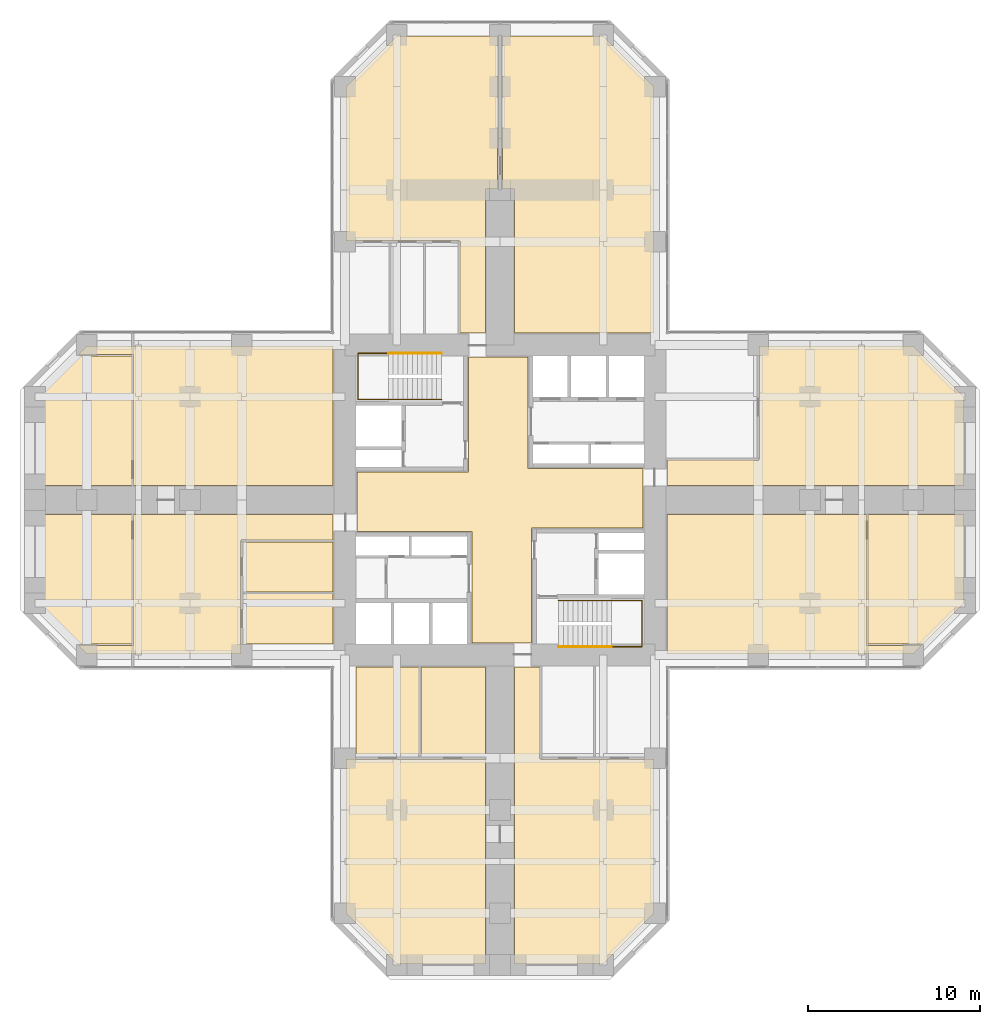
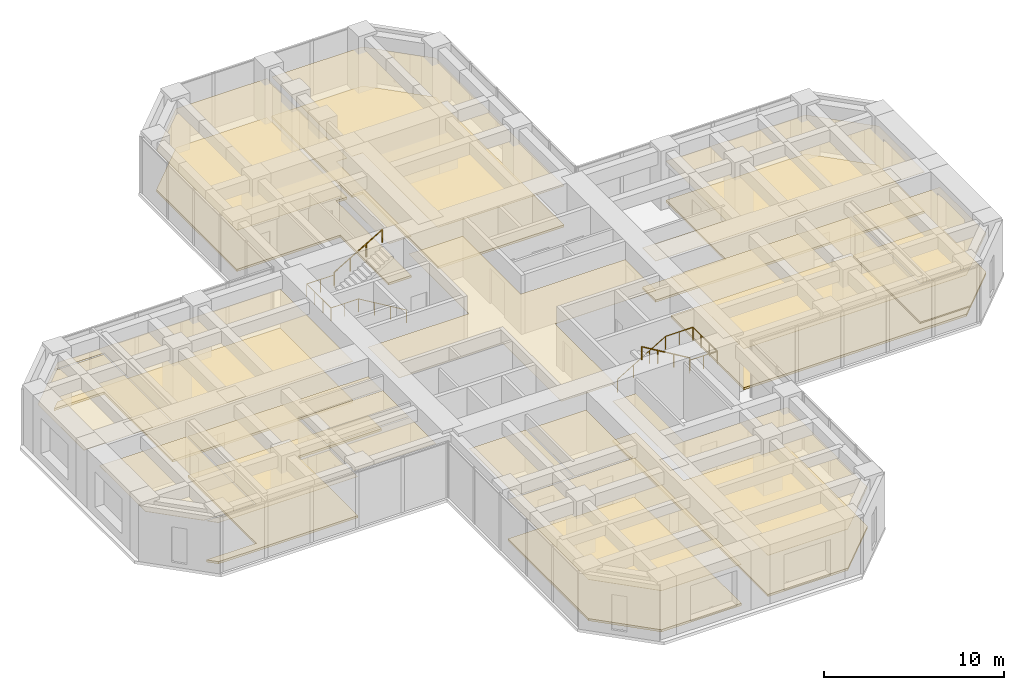
# One storey, part 12 of 12: 25 coverings, 4 railings.
"""IFC4 building model written with IfcOpenShell, lengths in metres."""

from ifc_helpers import new_model, si_unit, direction, frame, origin, origin_2d, place, context, subcontext, project, spatial, polyline, circle, outline, extrude, material, layer, layer_set, constituent, constituent_set, type_object, element, save


model = new_model("IFC4")

# Units and contexts
model_context = context("Model", 3, precision=1e-05, world=origin(), true_north=direction((0.0, 1.0)))
body_context = subcontext(model_context, "Body", "Model", "MODEL_VIEW")
ifc_project = project(units=[si_unit("LENGTHUNIT", "METRE"), si_unit("AREAUNIT", "SQUARE_METRE"), si_unit("VOLUMEUNIT", "CUBIC_METRE"), si_unit("PLANEANGLEUNIT", "RADIAN"), si_unit("MASSUNIT", "GRAM", prefix="KILO")], contexts=[model_context])

# Site, building, storey
site_placement = place(None, origin())
site = spatial("IfcSite", under=ifc_project, at=site_placement, CompositionType="ELEMENT")
building_placement = place(site_placement, origin())
building = spatial("IfcBuilding", under=site, at=building_placement, Name="Torre Cruceta", CompositionType="ELEMENT")
storey_placement = place(building_placement, frame((0.0, 0.0, 35.5)))
storey = spatial("IfcBuildingStorey", under=building, at=storey_placement, Name="L08", CompositionType="ELEMENT", Elevation=35.5)

# Railings
ifc_material_1 = material(Name="Stainless steel 1.4401", Category="steel")
railing_type = type_object("IfcRailingType", Name="HANDRAIL 900", PredefinedType="HANDRAIL", material=ifc_material_1)
railing_1_placement = place(storey_placement, frame((-3.39990234375, 5.8349609375, 0.166748046875)))
element("IfcRailing", 1, at=railing_1_placement, inside=storey, type_object=railing_type, Name="Handrail HR1 ST1 L08", PredefinedType="HANDRAIL", context=body_context, shape_type="SweptSolid", body=[
    extrude(circle(Radius=0.02392578125, at=origin_2d()), frame((0.0, 0.0, 0.8759765625), z_axis=(-0.859308565015, 0.0, 0.511457515432), x_axis=(0.0, -1.0, 0.0)), (0.0, 0.0, 1.0), 3.58447265625),
    extrude(circle(Radius=0.02392578125, at=origin_2d()), frame((-3.080078125, 0.0, 2.708984375), z_axis=(-1.0, 0.0, 0.0), x_axis=(0.0, -1.0, 0.0)), (0.0, 0.0, 1.0), 1.760009765625),
    extrude(circle(Radius=0.02392578125, at=origin_2d()), frame((-4.840087890625, 0.0, 2.708984375), z_axis=(0.0, 1.0, 0.0), x_axis=(-1.0, 0.0, 0.0)), (0.0, 0.0, 1.0), 2.679931640625),
    extrude(circle(Radius=0.02392578125, at=origin_2d()), frame((-4.840087890625, 2.679931640625, 2.708984375), z_axis=(1.0, 0.0, 0.0), x_axis=(0.0, 1.0, 0.0)), (0.0, 0.0, 1.0), 1.760009765625),
    extrude(circle(Radius=0.02099609375, at=origin_2d()), origin(), (0.0, 0.0, 1.0), 0.851806640625),
    extrude(circle(Radius=0.02099609375, at=origin_2d()), frame((-1.026611328125, 0.0, 0.611083984375)), (0.0, 0.0, 1.0), 0.851806640625),
    extrude(circle(Radius=0.02099609375, at=origin_2d()), frame((-2.053466796875, 0.0, 1.22216796875)), (0.0, 0.0, 1.0), 0.851806640625),
    extrude(circle(Radius=0.02099609375, at=origin_2d()), frame((-3.080078125, 0.0, 1.833251953125)), (0.0, 0.0, 1.0), 0.851806640625),
    extrude(circle(Radius=0.02099609375, at=origin_2d()), frame((-3.9599609375, 0.0, 1.833251953125)), (0.0, 0.0, 1.0), 0.851806640625),
    extrude(circle(Radius=0.02099609375, at=origin_2d()), frame((-4.840087890625, 0.0, 1.833251953125)), (0.0, 0.0, 1.0), 0.851806640625),
    extrude(circle(Radius=0.02099609375, at=origin_2d()), frame((-4.840087890625, 0.893310546875, 1.833251953125)), (0.0, 0.0, 1.0), 0.851806640625),
    extrude(circle(Radius=0.02099609375, at=origin_2d()), frame((-4.840087890625, 1.78662109375, 1.833251953125)), (0.0, 0.0, 1.0), 0.851806640625),
    extrude(circle(Radius=0.02099609375, at=origin_2d()), frame((-4.840087890625, 2.679931640625, 1.833251953125)), (0.0, 0.0, 1.0), 0.851806640625),
    extrude(circle(Radius=0.02099609375, at=origin_2d()), frame((-3.9599609375, 2.679931640625, 1.833251953125)), (0.0, 0.0, 1.0), 0.851806640625),
    extrude(circle(Radius=0.02099609375, at=origin_2d()), frame((-3.080078125, 2.679931640625, 1.833251953125)), (0.0, 0.0, 1.0), 0.851806640625),
])
railing_2_placement = place(storey_placement, frame((-6.47998046875, 8.514892578125, 2.166748046875)))
element("IfcRailing", 2, at=railing_2_placement, inside=storey, type_object=railing_type, Name="Handrail HR1 ST1 L08", PredefinedType="HANDRAIL", context=body_context, shape_type="SweptSolid", body=[
    extrude(circle(Radius=0.02392578125, at=origin_2d()), frame((0.0, 0.0, 0.8759765625), z_axis=(0.859308565015, 0.0, 0.511457515432), x_axis=(0.0, 1.0, 0.0)), (0.0, 0.0, 1.0), 3.58447265625),
    extrude(circle(Radius=0.02099609375, at=origin_2d()), origin(), (0.0, 0.0, 1.0), 0.851806640625),
    extrude(circle(Radius=0.02099609375, at=origin_2d()), frame((1.026611328125, 0.0, 0.611083984375)), (0.0, 0.0, 1.0), 0.851806640625),
    extrude(circle(Radius=0.02099609375, at=origin_2d()), frame((2.053466796875, 0.0, 1.22216796875)), (0.0, 0.0, 1.0), 0.851806640625),
    extrude(circle(Radius=0.02099609375, at=origin_2d()), frame((3.080078125, 0.0, 1.833251953125)), (0.0, 0.0, 1.0), 0.851806640625),
])
railing_3_placement = place(storey_placement, frame((3.39990234375, -5.8349609375, 0.166748046875)))
element("IfcRailing", 3, at=railing_3_placement, inside=storey, type_object=railing_type, Name="Handrail HR1 ST2 L08", PredefinedType="HANDRAIL", context=body_context, shape_type="SweptSolid", body=[
    extrude(circle(Radius=0.02392578125, at=origin_2d()), frame((0.0, 0.0, 0.8759765625), z_axis=(0.859308565015, 0.0, 0.511457515432), x_axis=(0.0, 1.0, 0.0)), (0.0, 0.0, 1.0), 3.58447265625),
    extrude(circle(Radius=0.02392578125, at=origin_2d()), frame((3.080078125, 0.0, 2.708984375), z_axis=(1.0, 0.0, 0.0), x_axis=(0.0, 1.0, 0.0)), (0.0, 0.0, 1.0), 1.760009765625),
    extrude(circle(Radius=0.02392578125, at=origin_2d()), frame((4.840087890625, 0.0, 2.708984375), z_axis=(0.0, -1.0, 0.0), x_axis=(1.0, 0.0, 0.0)), (0.0, 0.0, 1.0), 2.679931640625),
    extrude(circle(Radius=0.02392578125, at=origin_2d()), frame((4.840087890625, -2.679931640625, 2.708984375), z_axis=(-1.0, 0.0, 0.0), x_axis=(0.0, -1.0, 0.0)), (0.0, 0.0, 1.0), 1.760009765625),
    extrude(circle(Radius=0.02099609375, at=origin_2d()), origin(), (0.0, 0.0, 1.0), 0.851806640625),
    extrude(circle(Radius=0.02099609375, at=origin_2d()), frame((1.026611328125, 0.0, 0.611083984375)), (0.0, 0.0, 1.0), 0.851806640625),
    extrude(circle(Radius=0.02099609375, at=origin_2d()), frame((2.053466796875, 0.0, 1.22216796875)), (0.0, 0.0, 1.0), 0.851806640625),
    extrude(circle(Radius=0.02099609375, at=origin_2d()), frame((3.080078125, 0.0, 1.833251953125)), (0.0, 0.0, 1.0), 0.851806640625),
    extrude(circle(Radius=0.02099609375, at=origin_2d()), frame((3.9599609375, 0.0, 1.833251953125)), (0.0, 0.0, 1.0), 0.851806640625),
    extrude(circle(Radius=0.02099609375, at=origin_2d()), frame((4.840087890625, 0.0, 1.833251953125)), (0.0, 0.0, 1.0), 0.851806640625),
    extrude(circle(Radius=0.02099609375, at=origin_2d()), frame((4.840087890625, -0.893310546875, 1.833251953125)), (0.0, 0.0, 1.0), 0.851806640625),
    extrude(circle(Radius=0.02099609375, at=origin_2d()), frame((4.840087890625, -1.78662109375, 1.833251953125)), (0.0, 0.0, 1.0), 0.851806640625),
    extrude(circle(Radius=0.02099609375, at=origin_2d()), frame((4.840087890625, -2.679931640625, 1.833251953125)), (0.0, 0.0, 1.0), 0.851806640625),
    extrude(circle(Radius=0.02099609375, at=origin_2d()), frame((3.9599609375, -2.679931640625, 1.833251953125)), (0.0, 0.0, 1.0), 0.851806640625),
    extrude(circle(Radius=0.02099609375, at=origin_2d()), frame((3.080078125, -2.679931640625, 1.833251953125)), (0.0, 0.0, 1.0), 0.851806640625),
])
railing_4_placement = place(storey_placement, frame((6.47998046875, -8.514892578125, 2.166748046875)))
element("IfcRailing", 4, at=railing_4_placement, inside=storey, type_object=railing_type, Name="Handrail HR1 ST2 L08", PredefinedType="HANDRAIL", context=body_context, shape_type="SweptSolid", body=[
    extrude(circle(Radius=0.02392578125, at=origin_2d()), frame((0.0, 0.0, 0.8759765625), z_axis=(-0.859308565015, 0.0, 0.511457515432), x_axis=(0.0, -1.0, 0.0)), (0.0, 0.0, 1.0), 3.58447265625),
    extrude(circle(Radius=0.02099609375, at=origin_2d()), origin(), (0.0, 0.0, 1.0), 0.851806640625),
    extrude(circle(Radius=0.02099609375, at=origin_2d()), frame((-1.026611328125, 0.0, 0.611083984375)), (0.0, 0.0, 1.0), 0.851806640625),
    extrude(circle(Radius=0.02099609375, at=origin_2d()), frame((-2.053466796875, 0.0, 1.22216796875)), (0.0, 0.0, 1.0), 0.851806640625),
    extrude(circle(Radius=0.02099609375, at=origin_2d()), frame((-3.080078125, 0.0, 1.833251953125)), (0.0, 0.0, 1.0), 0.851806640625),
])

# Coverings
ifc_material_2 = material(Name="Steel DX51D", Category="steel")
ifc_constituent_1 = constituent(ifc_material_2, Name="Panel casing")
ifc_material_3 = material(Name="Calcium sulphate", Category="gypsum")
ifc_constituent_2 = constituent(ifc_material_3, Name="Panel core")
ifc_constituent_set = constituent_set(constituents=[ifc_constituent_1, ifc_constituent_2], Name="Raised access floor panel")
covering_type_1 = type_object("IfcCoveringType", Name="RAISED ACCESS FLOOR 150", PredefinedType="FLOORING", material=ifc_constituent_set)
covering_1_placement = place(storey_placement, origin())
element("IfcCovering", 5, at=covering_1_placement, inside=storey, type_object=covering_type_1, Name="Raised floor L08-026", PredefinedType="FLOORING", context=body_context, shape_type="SweptSolid", body=[
    extrude(outline(polyline([(-5.979248046875, 26.949951171875), (-0.14990234375, 26.949951171875), (-0.14990234375, 18.050048828125), (-0.85009765625, 18.050048828125), (-0.85009765625, 9.699951171875), (-2.324951171875, 9.699951171875), (-2.324951171875, 15.050048828125), (-8.949951171875, 15.050048828125), (-8.949951171875, 23.979248046875), (-5.979248046875, 26.949951171875)])), origin(), (0.0, 0.0, 1.0), 0.14990234375),
])
covering_2_placement = place(storey_placement, origin())
element("IfcCovering", 6, at=covering_2_placement, inside=storey, type_object=covering_type_1, Name="Raised floor L08-027", PredefinedType="FLOORING", context=body_context, shape_type="SweptSolid", body=[
    extrude(outline(polyline([(5.979248046875, 26.949951171875), (8.949951171875, 23.979248046875), (8.949951171875, 9.699951171875), (0.85009765625, 9.699951171875), (0.85009765625, 18.050048828125), (0.14990234375, 18.050048828125), (0.14990234375, 26.949951171875), (5.979248046875, 26.949951171875)])), origin(), (0.0, 0.0, 1.0), 0.14990234375),
])
covering_3_placement = place(storey_placement, origin())
element("IfcCovering", 7, at=covering_3_placement, inside=storey, type_object=covering_type_1, Name="Raised floor L08-029", PredefinedType="FLOORING", context=body_context, shape_type="SweptSolid", body=[
    extrude(outline(polyline([(24.579345703125, -8.35009765625), (21.3701171875, -8.35009765625), (21.3701171875, -0.85009765625), (26.949951171875, -0.85009765625), (26.949951171875, -5.979248046875), (24.579345703125, -8.35009765625)])), origin(), (0.0, 0.0, 1.0), 0.14990234375),
])
covering_4_placement = place(storey_placement, origin())
element("IfcCovering", 8, at=covering_4_placement, inside=storey, type_object=covering_type_1, Name="Raised floor L08-030", PredefinedType="FLOORING", context=body_context, shape_type="SweptSolid", body=[
    extrude(outline(polyline([(26.949951171875, 0.85009765625), (9.699951171875, 0.85009765625), (9.699951171875, 2.324951171875), (15.050048828125, 2.324951171875), (15.050048828125, 8.949951171875), (23.979248046875, 8.949951171875), (26.949951171875, 5.979248046875), (26.949951171875, 0.85009765625)])), origin(), (0.0, 0.0, 1.0), 0.14990234375),
])
covering_5_placement = place(storey_placement, origin())
element("IfcCovering", 9, at=covering_5_placement, inside=storey, type_object=covering_type_1, Name="Raised floor L08-031", PredefinedType="FLOORING", context=body_context, shape_type="SweptSolid", body=[
    extrude(outline(polyline([(21.27001953125, -8.449951171875), (24.479248046875, -8.449951171875), (23.979248046875, -8.949951171875), (9.699951171875, -8.949951171875), (9.699951171875, -0.85009765625), (21.27001953125, -0.85009765625), (21.27001953125, -8.449951171875)])), origin(), (0.0, 0.0, 1.0), 0.14990234375),
])
covering_6_placement = place(storey_placement, origin())
element("IfcCovering", 10, at=covering_6_placement, inside=storey, type_object=covering_type_1, Name="Raised floor L08-036", PredefinedType="FLOORING", context=body_context, shape_type="SweptSolid", body=[
    extrude(outline(polyline([(0.85009765625, -26.949951171875), (0.85009765625, -9.699951171875), (2.324951171875, -9.699951171875), (2.324951171875, -15.050048828125), (8.949951171875, -15.050048828125), (8.949951171875, -23.979248046875), (5.979248046875, -26.949951171875), (0.85009765625, -26.949951171875)])), origin(), (0.0, 0.0, 1.0), 0.14990234375),
])
covering_7_placement = place(storey_placement, origin())
element("IfcCovering", 11, at=covering_7_placement, inside=storey, type_object=covering_type_1, Name="Raised floor L08-037", PredefinedType="FLOORING", context=body_context, shape_type="SweptSolid", body=[
    extrude(outline(polyline([(-5.979248046875, -26.949951171875), (-8.949951171875, -23.979248046875), (-8.949951171875, -15.050048828125), (-0.85009765625, -15.050048828125), (-0.85009765625, -26.949951171875), (-5.979248046875, -26.949951171875)])), origin(), (0.0, 0.0, 1.0), 0.14990234375),
])
covering_8_placement = place(storey_placement, origin())
element("IfcCovering", 12, at=covering_8_placement, inside=storey, type_object=covering_type_1, Name="Raised floor L08-042", PredefinedType="FLOORING", context=body_context, shape_type="SweptSolid", body=[
    extrude(outline(polyline([(-21.27001953125, -0.85009765625), (-9.699951171875, -0.85009765625), (-9.699951171875, -2.324951171875), (-15.050048828125, -2.324951171875), (-15.050048828125, -8.949951171875), (-23.979248046875, -8.949951171875), (-24.479248046875, -8.449951171875), (-21.27001953125, -8.449951171875), (-21.27001953125, -0.85009765625)])), origin(), (0.0, 0.0, 1.0), 0.14990234375),
])
covering_9_placement = place(storey_placement, origin())
element("IfcCovering", 13, at=covering_9_placement, inside=storey, type_object=covering_type_1, Name="Raised floor L08-043", PredefinedType="FLOORING", context=body_context, shape_type="SweptSolid", body=[
    extrude(outline(polyline([(-21.27001953125, 8.449951171875), (-24.479248046875, 8.449951171875), (-23.979248046875, 8.949951171875), (-9.699951171875, 8.949951171875), (-9.699951171875, 0.85009765625), (-21.27001953125, 0.85009765625), (-21.27001953125, 8.449951171875)])), origin(), (0.0, 0.0, 1.0), 0.14990234375),
])
ifc_material_4 = material(Name="Mineral fibre ceiling tile", Category="gypsum")
ifc_layer = layer(ifc_material_4, 0.02001953125)
ifc_layer_set = layer_set([ifc_layer], Name="Mineral fibre ceiling tile")
covering_type_2 = type_object("IfcCoveringType", Name="SUSPENDED CEILING 20", PredefinedType="CEILING", material=ifc_layer_set)
covering_10_placement = place(storey_placement, frame((0.0, 0.0, 2.780029296875)))
element("IfcCovering", 14, at=covering_10_placement, inside=storey, type_object=covering_type_2, Name="Ceiling L08-001", PredefinedType="CEILING", context=body_context, shape_type="SweptSolid", body=[
    extrude(outline(polyline([(-1.625, -8.300048828125), (-1.625, -1.824951171875), (-8.300048828125, -1.824951171875), (-8.300048828125, 1.625), (-1.824951171875, 1.625), (-1.824951171875, 8.300048828125), (1.625, 8.300048828125), (1.625, 1.824951171875), (8.300048828125, 1.824951171875), (8.300048828125, -1.625), (1.824951171875, -1.625), (1.824951171875, -8.300048828125), (-1.625, -8.300048828125)])), origin(), (0.0, 0.0, 1.0), 0.02001953125),
])
covering_11_placement = place(storey_placement, frame((0.0, 0.0, 2.780029296875)))
element("IfcCovering", 15, at=covering_11_placement, inside=storey, type_object=covering_type_2, Name="Ceiling L08-026", PredefinedType="CEILING", context=body_context, shape_type="SweptSolid", body=[
    extrude(outline(polyline([(-5.979248046875, 26.949951171875), (-0.14990234375, 26.949951171875), (-0.14990234375, 18.050048828125), (-0.85009765625, 18.050048828125), (-0.85009765625, 9.699951171875), (-2.324951171875, 9.699951171875), (-2.324951171875, 15.050048828125), (-8.949951171875, 15.050048828125), (-8.949951171875, 23.979248046875), (-5.979248046875, 26.949951171875)])), origin(), (0.0, 0.0, 1.0), 0.02001953125),
])
covering_12_placement = place(storey_placement, frame((0.0, 0.0, 2.780029296875)))
element("IfcCovering", 16, at=covering_12_placement, inside=storey, type_object=covering_type_2, Name="Ceiling L08-027", PredefinedType="CEILING", context=body_context, shape_type="SweptSolid", body=[
    extrude(outline(polyline([(5.979248046875, 26.949951171875), (8.949951171875, 23.979248046875), (8.949951171875, 9.699951171875), (0.85009765625, 9.699951171875), (0.85009765625, 18.050048828125), (0.14990234375, 18.050048828125), (0.14990234375, 26.949951171875), (5.979248046875, 26.949951171875)])), origin(), (0.0, 0.0, 1.0), 0.02001953125),
])
covering_13_placement = place(storey_placement, frame((0.0, 0.0, 2.780029296875)))
element("IfcCovering", 17, at=covering_13_placement, inside=storey, type_object=covering_type_2, Name="Ceiling L08-029", PredefinedType="CEILING", context=body_context, shape_type="SweptSolid", body=[
    extrude(outline(polyline([(24.579345703125, -8.35009765625), (21.3701171875, -8.35009765625), (21.3701171875, -0.85009765625), (26.949951171875, -0.85009765625), (26.949951171875, -5.979248046875), (24.579345703125, -8.35009765625)])), origin(), (0.0, 0.0, 1.0), 0.02001953125),
])
covering_14_placement = place(storey_placement, frame((0.0, 0.0, 2.780029296875)))
element("IfcCovering", 18, at=covering_14_placement, inside=storey, type_object=covering_type_2, Name="Ceiling L08-030", PredefinedType="CEILING", context=body_context, shape_type="SweptSolid", body=[
    extrude(outline(polyline([(26.949951171875, 0.85009765625), (9.699951171875, 0.85009765625), (9.699951171875, 2.324951171875), (15.050048828125, 2.324951171875), (15.050048828125, 8.949951171875), (23.979248046875, 8.949951171875), (26.949951171875, 5.979248046875), (26.949951171875, 0.85009765625)])), origin(), (0.0, 0.0, 1.0), 0.02001953125),
])
covering_15_placement = place(storey_placement, frame((0.0, 0.0, 2.780029296875)))
element("IfcCovering", 19, at=covering_15_placement, inside=storey, type_object=covering_type_2, Name="Ceiling L08-031", PredefinedType="CEILING", context=body_context, shape_type="SweptSolid", body=[
    extrude(outline(polyline([(21.27001953125, -8.449951171875), (24.479248046875, -8.449951171875), (23.979248046875, -8.949951171875), (9.699951171875, -8.949951171875), (9.699951171875, -0.85009765625), (21.27001953125, -0.85009765625), (21.27001953125, -8.449951171875)])), origin(), (0.0, 0.0, 1.0), 0.02001953125),
])
covering_16_placement = place(storey_placement, frame((0.0, 0.0, 2.780029296875)))
element("IfcCovering", 20, at=covering_16_placement, inside=storey, type_object=covering_type_2, Name="Ceiling L08-034", PredefinedType="CEILING", context=body_context, shape_type="SweptSolid", body=[
    extrude(outline(polyline([(-4.60009765625, -9.699951171875), (-0.85009765625, -9.699951171875), (-0.85009765625, -14.949951171875), (-4.60009765625, -14.949951171875), (-4.60009765625, -9.699951171875)])), origin(), (0.0, 0.0, 1.0), 0.02001953125),
])
covering_17_placement = place(storey_placement, frame((0.0, 0.0, 2.780029296875)))
element("IfcCovering", 21, at=covering_17_placement, inside=storey, type_object=covering_type_2, Name="Ceiling L08-035", PredefinedType="CEILING", context=body_context, shape_type="SweptSolid", body=[
    extrude(outline(polyline([(-8.35009765625, -9.699951171875), (-4.699951171875, -9.699951171875), (-4.699951171875, -14.949951171875), (-8.35009765625, -14.949951171875), (-8.35009765625, -9.699951171875)])), origin(), (0.0, 0.0, 1.0), 0.02001953125),
])
covering_18_placement = place(storey_placement, frame((0.0, 0.0, 2.780029296875)))
element("IfcCovering", 22, at=covering_18_placement, inside=storey, type_object=covering_type_2, Name="Ceiling L08-036", PredefinedType="CEILING", context=body_context, shape_type="SweptSolid", body=[
    extrude(outline(polyline([(0.85009765625, -26.949951171875), (0.85009765625, -9.699951171875), (2.324951171875, -9.699951171875), (2.324951171875, -15.050048828125), (8.949951171875, -15.050048828125), (8.949951171875, -23.979248046875), (5.979248046875, -26.949951171875), (0.85009765625, -26.949951171875)])), origin(), (0.0, 0.0, 1.0), 0.02001953125),
])
covering_19_placement = place(storey_placement, frame((0.0, 0.0, 2.780029296875)))
element("IfcCovering", 23, at=covering_19_placement, inside=storey, type_object=covering_type_2, Name="Ceiling L08-037", PredefinedType="CEILING", context=body_context, shape_type="SweptSolid", body=[
    extrude(outline(polyline([(-5.979248046875, -26.949951171875), (-8.949951171875, -23.979248046875), (-8.949951171875, -15.050048828125), (-0.85009765625, -15.050048828125), (-0.85009765625, -26.949951171875), (-5.979248046875, -26.949951171875)])), origin(), (0.0, 0.0, 1.0), 0.02001953125),
])
covering_20_placement = place(storey_placement, frame((0.0, 0.0, 2.780029296875)))
element("IfcCovering", 24, at=covering_20_placement, inside=storey, type_object=covering_type_2, Name="Ceiling L08-038", PredefinedType="CEILING", context=body_context, shape_type="SweptSolid", body=[
    extrude(outline(polyline([(-9.699951171875, -2.425048828125), (-9.699951171875, -5.33740234375), (-14.949951171875, -5.33740234375), (-14.949951171875, -2.425048828125), (-9.699951171875, -2.425048828125)])), origin(), (0.0, 0.0, 1.0), 0.02001953125),
])
covering_21_placement = place(storey_placement, frame((0.0, 0.0, 2.780029296875)))
element("IfcCovering", 25, at=covering_21_placement, inside=storey, type_object=covering_type_2, Name="Ceiling L08-039", PredefinedType="CEILING", context=body_context, shape_type="SweptSolid", body=[
    extrude(outline(polyline([(-9.699951171875, -5.4375), (-9.699951171875, -8.35009765625), (-14.949951171875, -8.35009765625), (-14.949951171875, -5.4375), (-9.699951171875, -5.4375)])), origin(), (0.0, 0.0, 1.0), 0.02001953125),
])
covering_22_placement = place(storey_placement, frame((0.0, 0.0, 2.780029296875)))
element("IfcCovering", 26, at=covering_22_placement, inside=storey, type_object=covering_type_2, Name="Ceiling L08-040", PredefinedType="CEILING", context=body_context, shape_type="SweptSolid", body=[
    extrude(outline(polyline([(-26.949951171875, -0.85009765625), (-21.3701171875, -0.85009765625), (-21.3701171875, -8.35009765625), (-24.579345703125, -8.35009765625), (-26.949951171875, -5.979248046875), (-26.949951171875, -0.85009765625)])), origin(), (0.0, 0.0, 1.0), 0.02001953125),
])
covering_23_placement = place(storey_placement, frame((0.0, 0.0, 2.780029296875)))
element("IfcCovering", 27, at=covering_23_placement, inside=storey, type_object=covering_type_2, Name="Ceiling L08-041", PredefinedType="CEILING", context=body_context, shape_type="SweptSolid", body=[
    extrude(outline(polyline([(-24.579345703125, 8.35009765625), (-21.3701171875, 8.35009765625), (-21.3701171875, 0.85009765625), (-26.949951171875, 0.85009765625), (-26.949951171875, 5.979248046875), (-24.579345703125, 8.35009765625)])), origin(), (0.0, 0.0, 1.0), 0.02001953125),
])
covering_24_placement = place(storey_placement, frame((0.0, 0.0, 2.780029296875)))
element("IfcCovering", 28, at=covering_24_placement, inside=storey, type_object=covering_type_2, Name="Ceiling L08-042", PredefinedType="CEILING", context=body_context, shape_type="SweptSolid", body=[
    extrude(outline(polyline([(-21.27001953125, -0.85009765625), (-9.699951171875, -0.85009765625), (-9.699951171875, -2.324951171875), (-15.050048828125, -2.324951171875), (-15.050048828125, -8.949951171875), (-23.979248046875, -8.949951171875), (-24.479248046875, -8.449951171875), (-21.27001953125, -8.449951171875), (-21.27001953125, -0.85009765625)])), origin(), (0.0, 0.0, 1.0), 0.02001953125),
])
covering_25_placement = place(storey_placement, frame((0.0, 0.0, 2.780029296875)))
element("IfcCovering", 29, at=covering_25_placement, inside=storey, type_object=covering_type_2, Name="Ceiling L08-043", PredefinedType="CEILING", context=body_context, shape_type="SweptSolid", body=[
    extrude(outline(polyline([(-21.27001953125, 8.449951171875), (-24.479248046875, 8.449951171875), (-23.979248046875, 8.949951171875), (-9.699951171875, 8.949951171875), (-9.699951171875, 0.85009765625), (-21.27001953125, 0.85009765625), (-21.27001953125, 8.449951171875)])), origin(), (0.0, 0.0, 1.0), 0.02001953125),
])

save(model, "model.ifc")
